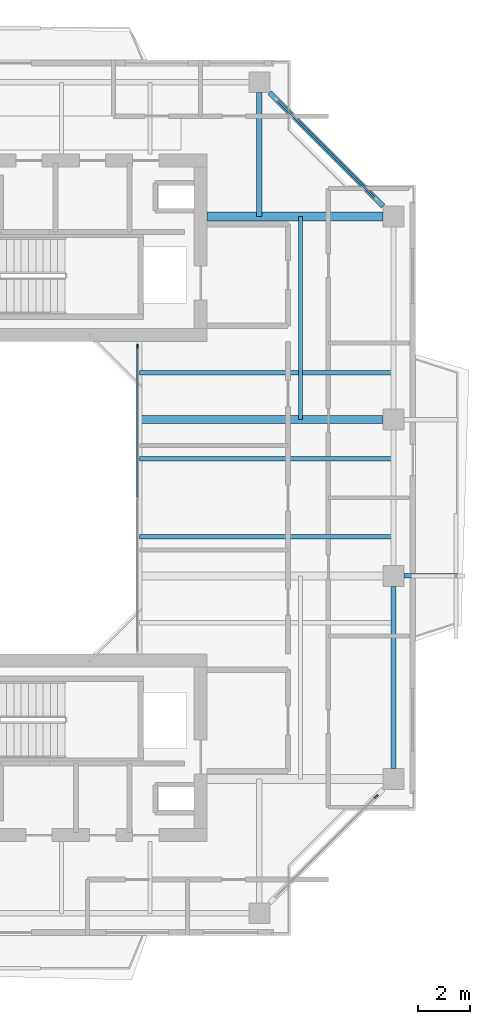
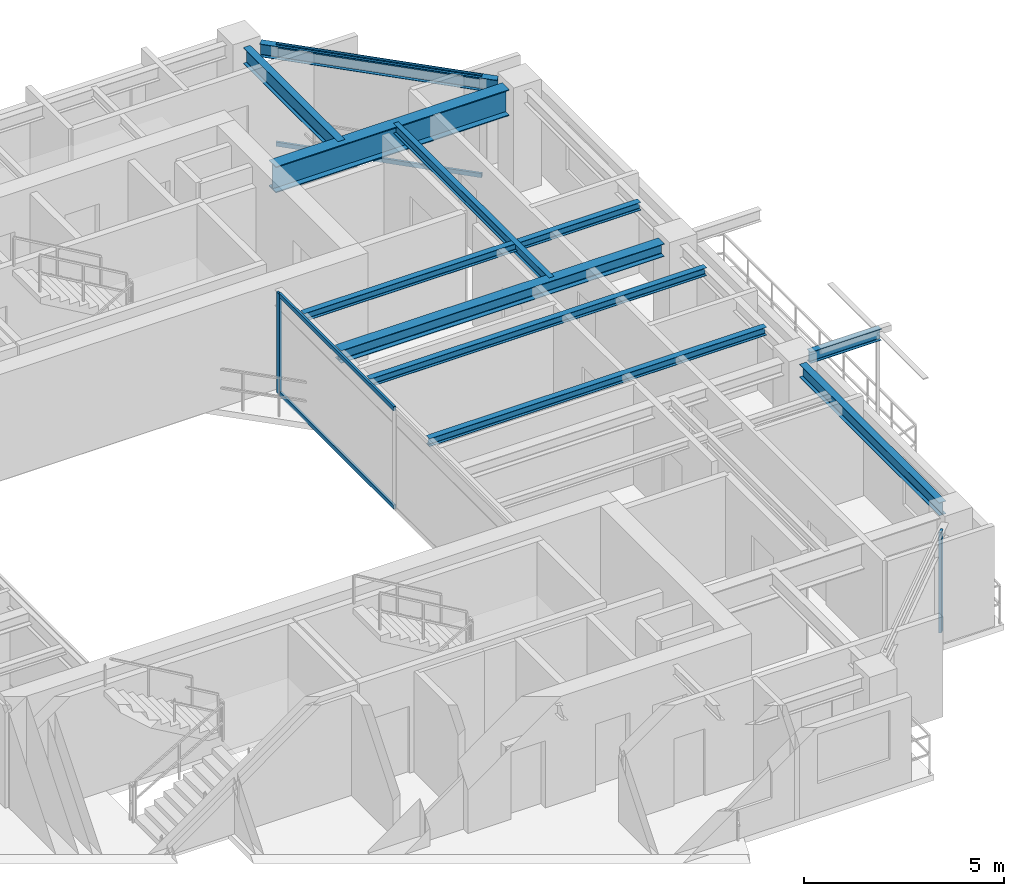
# One storey, part 6 of 16: 10 beams, 6 members, 3 elements without a shape of their own.
"""IFC4 building model written with IfcOpenShell, lengths in metres."""

from ifc_helpers import new_model, si_unit, direction, frame, origin, origin_2d, place, context, subcontext, project, spatial, rectangle, i_section, extrude, source, transform, mapped, material, layer, layer_set, material_profile, profile_set, type_object, element, aggregate, save


model = new_model("IFC4")

# Units and contexts
model_context = context("Model", 3, precision=1e-05, world=origin(), true_north=direction((0.0, 1.0)))
body_context = subcontext(model_context, "Body", "Model", "MODEL_VIEW")
ifc_project = project(units=[si_unit("LENGTHUNIT", "METRE"), si_unit("AREAUNIT", "SQUARE_METRE"), si_unit("VOLUMEUNIT", "CUBIC_METRE"), si_unit("PLANEANGLEUNIT", "RADIAN"), si_unit("MASSUNIT", "GRAM", prefix="KILO"), si_unit("THERMODYNAMICTEMPERATUREUNIT", "KELVIN"), si_unit("POWERUNIT", "WATT")], contexts=[model_context])

# Site, building, storey
site_placement = place(None, origin())
site = spatial("IfcSite", under=ifc_project, at=site_placement, CompositionType="ELEMENT")
building_placement = place(site_placement, origin())
building = spatial("IfcBuilding", under=site, at=building_placement, Name="Qiaomeng Ring Towers", CompositionType="ELEMENT")
storey_placement = place(building_placement, frame((0.0, 0.0, 210.0)))
storey = spatial("IfcBuildingStorey", under=building, at=storey_placement, Name="L61", CompositionType="ELEMENT", Elevation=210.0)

# Beams
ifc_material_1 = material(Name="Steel Q355B", Category="steel")
ifc_material_profile_1 = material_profile(ifc_material_1, i_section(OverallWidth=0.198974609375, OverallDepth=0.39599609375, WebThickness=0.007080078125, FlangeThickness=0.010986328125, FilletRadius=0.01611328125, at=origin_2d()), Name="HN 396x199x7x11")
ifc_profile_set_1 = profile_set([ifc_material_profile_1], Name="Steel Q355B")
beam_type_1 = type_object("IfcBeamType", Name="STR-BM-HN396", PredefinedType="SPANDREL", material=ifc_profile_set_1)
shared_shape_1 = source(origin(), body_context, "Body", "SweptSolid", [
    extrude(i_section(OverallWidth=0.198974609375, OverallDepth=0.39599609375, WebThickness=0.007080078125, FlangeThickness=0.010986328125, FilletRadius=0.01611328125, at=origin_2d()), origin(), (0.0, 0.0, 1.0), 6.154052734375),
])
beam_1_placement = place(storey_placement, frame((34.55078125, 34.19921875, 2.8720703125), z_axis=(-0.707106781187, 0.707106781187, 0.0), x_axis=(-0.707106781187, -0.707106781187, 0.0)))
element("IfcBeam", 1, at=beam_1_placement, inside=storey, type_object=beam_type_1, Name="L61 beam STR-SP-L61-T1-E4-N2", PredefinedType="SPANDREL", context=body_context, shape_type="MappedRepresentation", body=[
    mapped(shared_shape_1, transform((0.0, 0.0, 0.0), x_axis=(1.0, 0.0, 0.0), y_axis=(0.0, 1.0, 0.0), z_axis=(0.0, 0.0, 1.0), scale=1.0)),
])
shared_shape_2 = source(origin(), body_context, "Body", "SweptSolid", [
    extrude(i_section(OverallWidth=0.198974609375, OverallDepth=0.39599609375, WebThickness=0.007080078125, FlangeThickness=0.010986328125, FilletRadius=0.01611328125, at=origin_2d()), origin(), (0.0, 0.0, 1.0), 7.001953125),
])
beam_2_placement = place(storey_placement, frame((34.949951171875, 12.59912109375, 2.8720703125), z_axis=(0.0, 1.0, 0.0), x_axis=(-1.0, 0.0, 0.0)))
element("IfcBeam", 2, at=beam_2_placement, inside=storey, type_object=beam_type_1, Name="L61 beam STR-SP-L61-T1-E1-E2", PredefinedType="SPANDREL", context=body_context, shape_type="MappedRepresentation", body=[
    mapped(shared_shape_2, transform((0.0, 0.0, 0.0), x_axis=(1.0, 0.0, 0.0), y_axis=(0.0, 1.0, 0.0), z_axis=(0.0, 0.0, 1.0), scale=1.0)),
])
ifc_material_2 = material(Name="Steel Q390GJC", Category="steel")
ifc_material_profile_2 = material_profile(ifc_material_2, i_section(OverallWidth=0.35009765625, OverallDepth=0.800048828125, WebThickness=0.01611328125, FlangeThickness=0.028076171875, at=origin_2d()), Name="WH 800x350x16x28")
ifc_profile_set_2 = profile_set([ifc_material_profile_2], Name="Steel Q390GJC")
beam_type_2 = type_object("IfcBeamType", Name="STR-BM-WH800", PredefinedType="BEAM", material=ifc_profile_set_2)
shared_shape_3 = source(origin(), body_context, "Body", "SweptSolid", [
    extrude(i_section(OverallWidth=0.35009765625, OverallDepth=0.800048828125, WebThickness=0.01611328125, FlangeThickness=0.028076171875, at=origin_2d()), origin(), (0.0, 0.0, 1.0), 6.7509765625),
])
beam_3_placement = place(storey_placement, frame((27.800048828125, 33.800048828125, 2.669921875), z_axis=(1.0, 0.0, 0.0), x_axis=(0.0, 1.0, 0.0)))
element("IfcBeam", 3, at=beam_3_placement, inside=storey, type_object=beam_type_2, Name="L61 beam STR-BM-L61-T1-RAD-E4", PredefinedType="BEAM", context=body_context, shape_type="MappedRepresentation", body=[
    mapped(shared_shape_3, transform((0.0, 0.0, 0.0), x_axis=(1.0, 0.0, 0.0), y_axis=(0.0, 1.0, 0.0), z_axis=(0.0, 0.0, 1.0), scale=1.0)),
])
ifc_material_profile_3 = material_profile(ifc_material_1, i_section(OverallWidth=0.300048828125, OverallDepth=0.389892578125, WebThickness=0.010009765625, FlangeThickness=0.01611328125, FilletRadius=0.02197265625, at=origin_2d()), Name="HM 390x300x10x16")
ifc_profile_set_3 = profile_set([ifc_material_profile_3], Name="Steel Q355B")
beam_type_3 = type_object("IfcBeamType", Name="STR-BM-HM390", PredefinedType="BEAM", material=ifc_profile_set_3)
shared_shape_4 = source(origin(), body_context, "Body", "SweptSolid", [
    extrude(i_section(OverallWidth=0.300048828125, OverallDepth=0.389892578125, WebThickness=0.010009765625, FlangeThickness=0.01611328125, FilletRadius=0.02197265625, at=origin_2d()), origin(), (0.0, 0.0, 1.0), 9.35107421875),
])
beam_4_placement = place(storey_placement, frame((25.199951171875, 26.0, 2.875), z_axis=(1.0, 0.0, 0.0), x_axis=(0.0, 1.0, 0.0)))
element("IfcBeam", 4, at=beam_4_placement, inside=storey, type_object=beam_type_3, Name="L61 beam STR-BM-L61-T1-RAD-E3", PredefinedType="BEAM", context=body_context, shape_type="MappedRepresentation", body=[
    mapped(shared_shape_4, transform((0.0, 0.0, 0.0), x_axis=(1.0, 0.0, 0.0), y_axis=(0.0, 1.0, 0.0), z_axis=(0.0, 0.0, 1.0), scale=1.0)),
])
ifc_material_profile_4 = material_profile(ifc_material_1, i_section(OverallWidth=0.175048828125, OverallDepth=0.243896484375, WebThickness=0.007080078125, FlangeThickness=0.010986328125, FilletRadius=0.01611328125, at=origin_2d()), Name="HM 244x175x7x11")
ifc_profile_set_4 = profile_set([ifc_material_profile_4], Name="Steel Q355B")
beam_type_4 = type_object("IfcBeamType", Name="STR-BM-HM244", PredefinedType="JOIST", material=ifc_profile_set_4)
shared_shape_5 = source(origin(), body_context, "Body", "SweptSolid", [
    extrude(i_section(OverallWidth=0.175048828125, OverallDepth=0.243896484375, WebThickness=0.007080078125, FlangeThickness=0.010986328125, FilletRadius=0.01611328125, at=origin_2d()), origin(), (0.0, 0.0, 1.0), 9.75),
])
for number, where, z_axis, x_axis, name in (
    (5, (25.199951171875, 21.5, 2.947998046875), (1.0, 0.0, 0.0), (0.0, 1.0, 0.0), "L61 beam STR-JST-L61-T1E-2"),
    (6, (25.199951171875, 24.5, 2.947998046875), (1.0, 0.0, 0.0), (0.0, 1.0, 0.0), "L61 beam STR-JST-L61-T1E-3"),
    (7, (25.199951171875, 27.800048828125, 2.947998046875), (1.0, 0.0, 0.0), (0.0, 1.0, 0.0), "L61 beam STR-JST-L61-T1E-4"),
):
    element("IfcBeam", number, at=place(storey_placement, frame(where, z_axis=z_axis, x_axis=x_axis)), inside=storey, type_object=beam_type_4, Name=name, PredefinedType="JOIST", context=body_context, shape_type="MappedRepresentation", body=[
        mapped(shared_shape_5, transform((0.0, 0.0, 0.0), x_axis=(1.0, 0.0, 0.0), y_axis=(0.0, 1.0, 0.0), z_axis=(0.0, 0.0, 1.0), scale=1.0)),
    ])
ifc_material_profile_5 = material_profile(ifc_material_1, i_section(OverallWidth=0.14990234375, OverallDepth=0.300048828125, WebThickness=0.006591796875, FlangeThickness=0.009033203125, FilletRadius=0.012939453125, at=origin_2d()), Name="HN 300x150x6.5x9")
ifc_profile_set_5 = profile_set([ifc_material_profile_5], Name="Steel Q355B")
beam_type_5 = type_object("IfcBeamType", Name="STR-BM-HN300", PredefinedType="JOIST", material=ifc_profile_set_5)
shared_shape_6 = source(origin(), body_context, "Body", "SweptSolid", [
    extrude(i_section(OverallWidth=0.14990234375, OverallDepth=0.300048828125, WebThickness=0.006591796875, FlangeThickness=0.009033203125, FilletRadius=0.012939453125, at=origin_2d()), origin(), (0.0, 0.0, 1.0), 7.800048828125),
])
beam_5_placement = place(storey_placement, frame((31.375, 26.0, 2.919921875), z_axis=(0.0, 1.0, 0.0), x_axis=(-1.0, 0.0, 0.0)))
element("IfcBeam", 8, at=beam_5_placement, inside=storey, type_object=beam_type_5, Name="L61 beam STR-JST-L61-T1C-EN", PredefinedType="JOIST", context=body_context, shape_type="MappedRepresentation", body=[
    mapped(shared_shape_6, transform((0.0, 0.0, 0.0), x_axis=(1.0, 0.0, 0.0), y_axis=(0.0, 1.0, 0.0), z_axis=(0.0, 0.0, 1.0), scale=1.0)),
])
ifc_material_profile_6 = material_profile(ifc_material_1, i_section(OverallWidth=0.175048828125, OverallDepth=0.35009765625, WebThickness=0.007080078125, FlangeThickness=0.010986328125, FilletRadius=0.013916015625, at=origin_2d()), Name="HN 350x175x7x11")
ifc_profile_set_6 = profile_set([ifc_material_profile_6], Name="Steel Q355B")
beam_type_6 = type_object("IfcBeamType", Name="STR-BM-HN350", PredefinedType="JOIST", material=ifc_profile_set_6)
shared_shape_7 = source(origin(), body_context, "Body", "SweptSolid", [
    extrude(i_section(OverallWidth=0.175048828125, OverallDepth=0.35009765625, WebThickness=0.007080078125, FlangeThickness=0.010986328125, FilletRadius=0.013916015625, at=origin_2d()), origin(), (0.0, 0.0, 1.0), 2.05078125),
])
beam_6_placement = place(storey_placement, frame((35.34912109375, 20.0, 2.89501953125), z_axis=(1.0, 0.0, 0.0), x_axis=(0.0, 1.0, 0.0)))
element("IfcBeam", 9, at=beam_6_placement, inside=storey, type_object=beam_type_6, Name="L61 beam STR-BALBM-L61-E2", PredefinedType="JOIST", context=body_context, shape_type="MappedRepresentation", body=[
    mapped(shared_shape_7, transform((0.0, 0.0, 0.0), x_axis=(1.0, 0.0, 0.0), y_axis=(0.0, 1.0, 0.0), z_axis=(0.0, 0.0, 1.0), scale=1.0)),
])
ifc_material_profile_7 = material_profile(ifc_material_1, i_section(OverallWidth=0.198974609375, OverallDepth=0.49609375, WebThickness=0.009033203125, FlangeThickness=0.013916015625, FilletRadius=0.01806640625, at=origin_2d()), Name="HN 496x199x9x14")
ifc_profile_set_7 = profile_set([ifc_material_profile_7], Name="Steel Q355B")
beam_type_7 = type_object("IfcBeamType", Name="STR-BM-HN496", PredefinedType="BEAM", material=ifc_profile_set_7)
shared_shape_8 = source(origin(), body_context, "Body", "SweptSolid", [
    extrude(i_section(OverallWidth=0.198974609375, OverallDepth=0.49609375, WebThickness=0.009033203125, FlangeThickness=0.013916015625, FilletRadius=0.01806640625, at=origin_2d()), origin(), (0.0, 0.0, 1.0), 4.7509765625),
])
beam_7_placement = place(storey_placement, frame((29.800048828125, 38.551025390625, 2.822021484375), z_axis=(0.0, -1.0, 0.0), x_axis=(1.0, 0.0, 0.0)))
element("IfcBeam", 10, at=beam_7_placement, inside=storey, type_object=beam_type_7, Name="L61 beam STR-BM-L61-T1-RAD-N2", PredefinedType="BEAM", context=body_context, shape_type="MappedRepresentation", body=[
    mapped(shared_shape_8, transform((0.0, 0.0, 0.0), x_axis=(1.0, 0.0, 0.0), y_axis=(0.0, 1.0, 0.0), z_axis=(0.0, 0.0, 1.0), scale=1.0)),
])

# Curtain wall, members
ifc_material_3 = material(Name="Fluorocarbon dark-grey aluminium", Category="aluminium")
ifc_layer_1 = layer(ifc_material_3, 0.139892578125, Name="Fluorocarbon dark-grey aluminium")
ifc_layer_set_1 = layer_set([ifc_layer_1], Name="Fluorocarbon dark-grey aluminium")
curtain_wall_type_1 = type_object("IfcCurtainWallType", Name="ARC-CW-4", PredefinedType="NOTDEFINED", material=ifc_layer_set_1)
curtain_wall_1_placement = place(storey_placement, origin())
curtain_wall_1 = element("IfcCurtainWall", 11, at=curtain_wall_1_placement, inside=storey, type_object=curtain_wall_type_1, Name="L61 Curtain Wall CW4", PredefinedType="NOTDEFINED")
ifc_material_profile_8 = material_profile(ifc_material_3, rectangle(XDim=0.06494140625, YDim=0.159912109375, at=origin_2d()), Name="ALU MULL 65x160")
ifc_profile_set_8 = profile_set([ifc_material_profile_8], Name="Fluorocarbon dark-grey aluminium")
member_type_1 = type_object("IfcMemberType", Name="ARC-CWM-140", PredefinedType="MULLION", material=ifc_profile_set_8)
shared_shape_9 = source(origin(), body_context, "Body", "SweptSolid", [
    extrude(rectangle(XDim=0.06494140625, YDim=0.159912109375, at=origin_2d()), origin(), (0.0, 0.0, 1.0), 3.070068359375),
])
member_1_placement = place(storey_placement, frame((25.1201171875, 28.8173828125, 0.0), z_axis=(0.0, 0.0, 1.0), x_axis=(-1.0, 0.0, 0.0)))
member_1 = element("IfcMember", 12, at=member_1_placement, type_object=member_type_1, Name="CW4 mullion 3", PredefinedType="MULLION", context=body_context, shape_type="MappedRepresentation", body=[
    mapped(shared_shape_9, transform((0.0, 0.0, 0.0), x_axis=(1.0, 0.0, 0.0), y_axis=(0.0, 1.0, 0.0), z_axis=(0.0, 0.0, 1.0), scale=1.0)),
])
ifc_material_profile_9 = material_profile(ifc_material_3, rectangle(XDim=0.06494140625, YDim=0.1298828125, at=origin_2d()), Name="ALU TRAN 65x130")
ifc_profile_set_9 = profile_set([ifc_material_profile_9], Name="Fluorocarbon dark-grey aluminium")
member_type_2 = type_object("IfcMemberType", Name="ARC-CWT-120", PredefinedType="USERDEFINED", material=ifc_profile_set_9)
shared_shape_10 = source(origin(), body_context, "Body", "SweptSolid", [
    extrude(rectangle(XDim=0.06494140625, YDim=0.1298828125, at=origin_2d()), origin(), (0.0, 0.0, 1.0), 5.75244140625),
])
member_2_placement = place(storey_placement, frame((25.1201171875, 23.032470703125, 0.032470703125), z_axis=(0.0, 1.0, 0.0), x_axis=(-1.0, 0.0, 0.0)))
member_2 = element("IfcMember", 13, at=member_2_placement, type_object=member_type_2, Name="CW4 transom 2.1", ObjectType="TRANSOM", PredefinedType="USERDEFINED", context=body_context, shape_type="MappedRepresentation", body=[
    mapped(shared_shape_10, transform((0.0, 0.0, 0.0), x_axis=(1.0, 0.0, 0.0), y_axis=(0.0, 1.0, 0.0), z_axis=(0.0, 0.0, 1.0), scale=1.0)),
])
member_3_placement = place(storey_placement, frame((25.1201171875, 23.032470703125, 3.03759765625), z_axis=(0.0, 1.0, 0.0), x_axis=(-1.0, 0.0, 0.0)))
member_3 = element("IfcMember", 14, at=member_3_placement, type_object=member_type_2, Name="CW4 transom 2.2", ObjectType="TRANSOM", PredefinedType="USERDEFINED", context=body_context, shape_type="MappedRepresentation", body=[
    mapped(shared_shape_10, transform((0.0, 0.0, 0.0), x_axis=(1.0, 0.0, 0.0), y_axis=(0.0, 1.0, 0.0), z_axis=(0.0, 0.0, 1.0), scale=1.0)),
])
aggregate(curtain_wall_1, [member_1, member_2, member_3])

# Curtain wall, member
ifc_layer_2 = layer(ifc_material_3, 0.14990234375, Name="Fluorocarbon dark-grey aluminium")
ifc_layer_set_2 = layer_set([ifc_layer_2], Name="Fluorocarbon dark-grey aluminium")
curtain_wall_type_2 = type_object("IfcCurtainWallType", Name="ARC-CW-3", PredefinedType="NOTDEFINED", material=ifc_layer_set_2)
curtain_wall_2_placement = place(storey_placement, origin())
curtain_wall_2 = element("IfcCurtainWall", 15, at=curtain_wall_2_placement, inside=storey, type_object=curtain_wall_type_2, Name="L61 Curtain Wall CW3", PredefinedType="NOTDEFINED")
ifc_material_profile_10 = material_profile(ifc_material_3, rectangle(XDim=0.070068359375, YDim=0.179931640625, at=origin_2d()), Name="ALU MULL 70x180")
ifc_profile_set_10 = profile_set([ifc_material_profile_10], Name="Fluorocarbon dark-grey aluminium")
member_type_3 = type_object("IfcMemberType", Name="ARC-CWM-160", PredefinedType="MULLION", material=ifc_profile_set_10)
shared_shape_11 = source(origin(), body_context, "Body", "SweptSolid", [
    extrude(rectangle(XDim=0.070068359375, YDim=0.179931640625, at=origin_2d()), origin(), (0.0, 0.0, 1.0), 3.070068359375),
])
member_4_placement = place(storey_placement, frame((34.28515625, 11.53515625, 0.0), z_axis=(0.0, 0.0, 1.0), x_axis=(-0.707106781187, 0.707106781187, 0.0)))
member_4 = element("IfcMember", 16, at=member_4_placement, type_object=member_type_3, Name="CW3 mullion 2", PredefinedType="MULLION", context=body_context, shape_type="MappedRepresentation", body=[
    mapped(shared_shape_11, transform((0.0, 0.0, 0.0), x_axis=(1.0, 0.0, 0.0), y_axis=(0.0, 1.0, 0.0), z_axis=(0.0, 0.0, 1.0), scale=1.0)),
])
aggregate(curtain_wall_2, [member_4])

# Curtain wall, members
curtain_wall_3_placement = place(storey_placement, origin())
curtain_wall_3 = element("IfcCurtainWall", 17, at=curtain_wall_3_placement, inside=storey, type_object=curtain_wall_type_2, Name="L61 Curtain Wall CW3", PredefinedType="NOTDEFINED")
shared_shape_12 = source(origin(), body_context, "Body", "SweptSolid", [
    extrude(rectangle(XDim=0.06494140625, YDim=0.1298828125, at=origin_2d()), origin(), (0.0, 0.0, 1.0), 5.3330078125),
])
member_5_placement = place(storey_placement, frame((34.260498046875, 34.489501953125, 0.032470703125), z_axis=(-0.707106781187, 0.707106781187, 0.0), x_axis=(-0.707106781187, -0.707106781187, 0.0)))
member_5 = element("IfcMember", 18, at=member_5_placement, type_object=member_type_2, Name="CW3 transom 1.1", ObjectType="TRANSOM", PredefinedType="USERDEFINED", context=body_context, shape_type="MappedRepresentation", body=[
    mapped(shared_shape_12, transform((0.0, 0.0, 0.0), x_axis=(1.0, 0.0, 0.0), y_axis=(0.0, 1.0, 0.0), z_axis=(0.0, 0.0, 1.0), scale=1.0)),
])
member_6_placement = place(storey_placement, frame((34.260498046875, 34.489501953125, 3.03759765625), z_axis=(-0.707106781187, 0.707106781187, 0.0), x_axis=(-0.707106781187, -0.707106781187, 0.0)))
member_6 = element("IfcMember", 19, at=member_6_placement, type_object=member_type_2, Name="CW3 transom 1.2", ObjectType="TRANSOM", PredefinedType="USERDEFINED", context=body_context, shape_type="MappedRepresentation", body=[
    mapped(shared_shape_12, transform((0.0, 0.0, 0.0), x_axis=(1.0, 0.0, 0.0), y_axis=(0.0, 1.0, 0.0), z_axis=(0.0, 0.0, 1.0), scale=1.0)),
])
aggregate(curtain_wall_3, [member_5, member_6])

save(model, "model.ifc")
